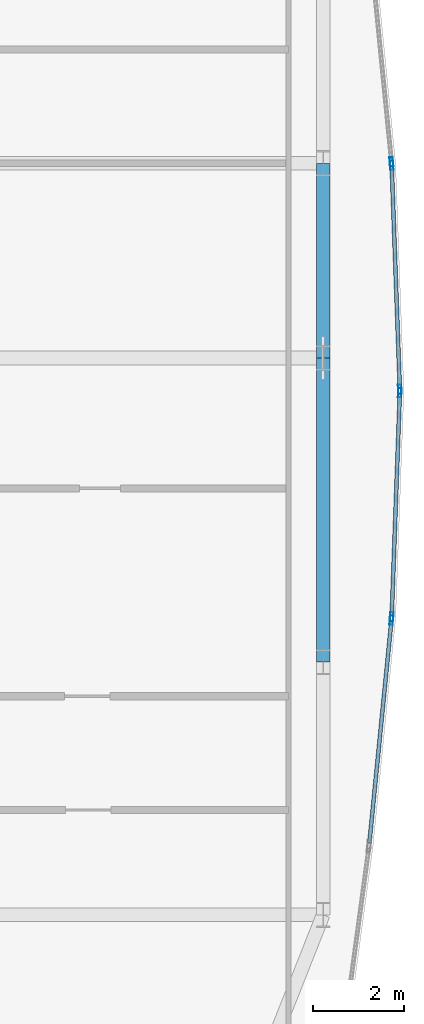
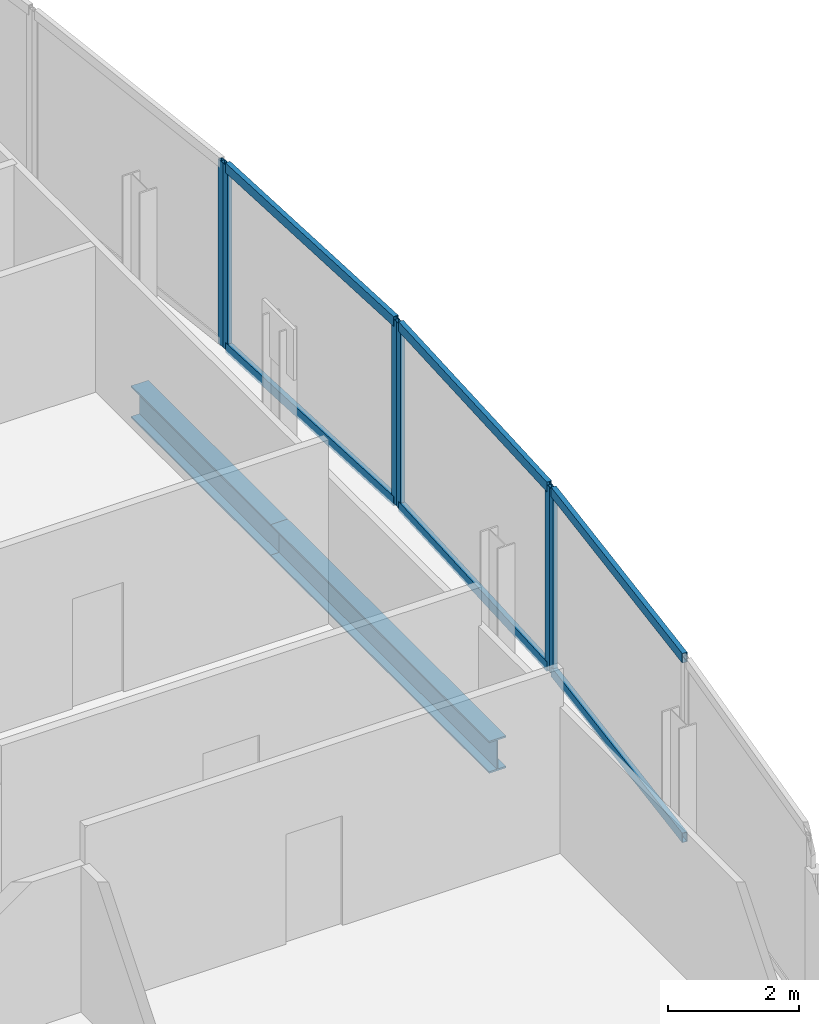
# One storey, part 22 of 32: 12 members, 2 beams, 4 elements without a shape of their own.
"""IFC4 building model written with IfcOpenShell, lengths in metres."""

from ifc_helpers import new_model, si_unit, direction, frame, origin, origin_2d, place, context, subcontext, project, spatial, hollow_rectangle, i_section, extrude, material, material_profile, profile_set, type_object, element, aggregate, save


model = new_model("IFC4")

# Units and contexts
model_context = context("Model", 3, precision=1e-05, world=origin(), true_north=direction((0.0, 1.0)))
body_context = subcontext(model_context, "Body", "Model", "MODEL_VIEW")
ifc_project = project(units=[si_unit("LENGTHUNIT", "METRE"), si_unit("AREAUNIT", "SQUARE_METRE"), si_unit("VOLUMEUNIT", "CUBIC_METRE"), si_unit("PLANEANGLEUNIT", "RADIAN"), si_unit("MASSUNIT", "GRAM", prefix="KILO")], contexts=[model_context])

# Site, building, storey
site_placement = place(None, origin())
site = spatial("IfcSite", under=ifc_project, at=site_placement, CompositionType="ELEMENT")
building_placement = place(site_placement, origin())
building = spatial("IfcBuilding", under=site, at=building_placement, Name="Khoronbel Lancet Exchange", CompositionType="ELEMENT")
storey_placement = place(building_placement, frame((0.0, 0.0, 125.39990234375)))
storey = spatial("IfcBuildingStorey", under=building, at=storey_placement, Name="L30", CompositionType="ELEMENT", Elevation=125.39990234375)

# Beams
ifc_material_1 = material(Name="Steel S355", Category="steel")
ifc_material_profile_1 = material_profile(ifc_material_1, i_section(OverallWidth=0.300048828125, OverallDepth=0.60009765625, WebThickness=0.015380859375, FlangeThickness=0.030029296875, at=origin_2d()), Name="HEB 600")
ifc_profile_set_1 = profile_set([ifc_material_profile_1], Name="Steel S355")
beam_type = type_object("IfcBeamType", Name="BM-BSP2", PredefinedType="SPANDREL", material=ifc_profile_set_1)
beam_1_placement = place(storey_placement, frame((69.6298828125, 24.75, -0.4599609375), z_axis=(0.0, 1.0, 0.0), x_axis=(-1.0, 0.0, 0.0)))
element("IfcBeam", 1, at=beam_1_placement, inside=storey, type_object=beam_type, Name="Level L30 perimeter spandrel beam SP12", PredefinedType="SPANDREL", context=body_context, shape_type="SweptSolid", body=[
    extrude(i_section(OverallWidth=0.300048828125, OverallDepth=0.60009765625, WebThickness=0.015380859375, FlangeThickness=0.030029296875, at=origin_2d()), origin(), (0.0, 0.0, 1.0), 6.675048828125),
])
beam_2_placement = place(storey_placement, frame((69.6298828125, 31.425048828125, -0.4599609375), z_axis=(0.0, 1.0, 0.0), x_axis=(-1.0, 0.0, 0.0)))
element("IfcBeam", 2, at=beam_2_placement, inside=storey, type_object=beam_type, Name="Level L30 perimeter spandrel beam SP13", PredefinedType="SPANDREL", context=body_context, shape_type="SweptSolid", body=[
    extrude(i_section(OverallWidth=0.300048828125, OverallDepth=0.60009765625, WebThickness=0.015380859375, FlangeThickness=0.030029296875, at=origin_2d()), origin(), (0.0, 0.0, 1.0), 4.27490234375),
])

# Curtain wall, member
ifc_material_2 = material(Name="Low-E Solar Control Insulating Glass", Category="glass")
curtain_wall_type = type_object("IfcCurtainWallType", Name="CW-4", PredefinedType="NOTDEFINED", material=ifc_material_2)
curtain_wall_1_placement = place(storey_placement, origin())
curtain_wall_1 = element("IfcCurtainWall", 3, at=curtain_wall_1_placement, inside=storey, type_object=curtain_wall_type, Name="Unitised curtain wall CW-L30-E18", PredefinedType="NOTDEFINED")
ifc_material_3 = material(Name="Bronze-Anodised Aluminium 6063-T6", Category="aluminium")
ifc_material_profile_2 = material_profile(ifc_material_3, hollow_rectangle(XDim=0.074951171875, YDim=0.199951171875, WallThickness=0.0048828125, at=origin_2d()), Name="ALU MULLION 75x200")
ifc_profile_set_2 = profile_set([ifc_material_profile_2], Name="Bronze-Anodised Aluminium 6063-T6")
member_type_1 = type_object("IfcMemberType", Name="MEM-CWM2", PredefinedType="MULLION", material=ifc_profile_set_2)
member_1_placement = place(storey_placement, frame((71.13037109375, 35.731201171875, 0.0), z_axis=(0.0, 0.0, 1.0), x_axis=(0.99511302808, 0.098742398922, 0.0)))
member_1 = element("IfcMember", 4, at=member_1_placement, type_object=member_type_1, Name="CW4 mullion 2", PredefinedType="MULLION", context=body_context, shape_type="SweptSolid", body=[
    extrude(hollow_rectangle(XDim=0.074951171875, YDim=0.199951171875, WallThickness=0.0048828125, at=origin_2d()), origin(), (0.0, 0.0, 1.0), 3.440185546875),
])
aggregate(curtain_wall_1, [member_1])

# Curtain wall, members
curtain_wall_2_placement = place(storey_placement, origin())
curtain_wall_2 = element("IfcCurtainWall", 5, at=curtain_wall_2_placement, inside=storey, type_object=curtain_wall_type, Name="Unitised curtain wall CW-L30-E19", PredefinedType="NOTDEFINED")
member_2_placement = place(storey_placement, frame((71.13525390625, 35.656494140625, 0.0), z_axis=(0.0, 0.0, 1.0), x_axis=(0.999341649928, 0.036280390298, 0.0)))
member_2 = element("IfcMember", 6, at=member_2_placement, type_object=member_type_1, Name="CW4 mullion 1", PredefinedType="MULLION", context=body_context, shape_type="SweptSolid", body=[
    extrude(hollow_rectangle(XDim=0.074951171875, YDim=0.199951171875, WallThickness=0.0048828125, at=origin_2d()), origin(), (0.0, 0.0, 1.0), 3.440185546875),
])
member_3_placement = place(storey_placement, frame((71.31396484375, 30.737548828125, 0.0), z_axis=(0.0, 0.0, 1.0), x_axis=(0.999341649928, 0.036280390298, 0.0)))
member_3 = element("IfcMember", 7, at=member_3_placement, type_object=member_type_1, Name="CW4 mullion 2", PredefinedType="MULLION", context=body_context, shape_type="SweptSolid", body=[
    extrude(hollow_rectangle(XDim=0.074951171875, YDim=0.199951171875, WallThickness=0.0048828125, at=origin_2d()), origin(), (0.0, 0.0, 1.0), 3.440185546875),
])

curtain_wall_3_placement = place(storey_placement, origin())
curtain_wall_3 = element("IfcCurtainWall", 8, at=curtain_wall_3_placement, inside=storey, type_object=curtain_wall_type, Name="Unitised curtain wall CW-L30-E20", PredefinedType="NOTDEFINED")
member_4_placement = place(storey_placement, frame((71.31396484375, 30.66259765625, 0.0), z_axis=(0.0, 0.0, 1.0), x_axis=(0.999341649928, -0.036280390298, 0.0)))
member_4 = element("IfcMember", 9, at=member_4_placement, type_object=member_type_1, Name="CW4 mullion 1", PredefinedType="MULLION", context=body_context, shape_type="SweptSolid", body=[
    extrude(hollow_rectangle(XDim=0.074951171875, YDim=0.199951171875, WallThickness=0.0048828125, at=origin_2d()), origin(), (0.0, 0.0, 1.0), 3.440185546875),
])
member_5_placement = place(storey_placement, frame((71.13525390625, 25.74365234375, 0.0), z_axis=(0.0, 0.0, 1.0), x_axis=(0.999341649928, -0.036280390298, 0.0)))
member_5 = element("IfcMember", 10, at=member_5_placement, type_object=member_type_1, Name="CW4 mullion 2", PredefinedType="MULLION", context=body_context, shape_type="SweptSolid", body=[
    extrude(hollow_rectangle(XDim=0.074951171875, YDim=0.199951171875, WallThickness=0.0048828125, at=origin_2d()), origin(), (0.0, 0.0, 1.0), 3.440185546875),
])

# Curtain wall, member
curtain_wall_4_placement = place(storey_placement, origin())
curtain_wall_4 = element("IfcCurtainWall", 11, at=curtain_wall_4_placement, inside=storey, type_object=curtain_wall_type, Name="Unitised curtain wall CW-L30-E21", PredefinedType="NOTDEFINED")
member_6_placement = place(storey_placement, frame((71.13037109375, 25.668701171875, 0.0), z_axis=(0.0, 0.0, 1.0), x_axis=(0.99511302808, -0.098742398922, 0.0)))
member_6 = element("IfcMember", 12, at=member_6_placement, type_object=member_type_1, Name="CW4 mullion 1", PredefinedType="MULLION", context=body_context, shape_type="SweptSolid", body=[
    extrude(hollow_rectangle(XDim=0.074951171875, YDim=0.199951171875, WallThickness=0.0048828125, at=origin_2d()), origin(), (0.0, 0.0, 1.0), 3.440185546875),
])

# Member
ifc_material_profile_3 = material_profile(ifc_material_3, hollow_rectangle(XDim=0.0849609375, YDim=0.179931640625, WallThickness=0.0048828125, at=origin_2d()), Name="ALU TRANSOM 85x180")
ifc_profile_set_3 = profile_set([ifc_material_profile_3], Name="Bronze-Anodised Aluminium 6063-T6")
member_type_2 = type_object("IfcMemberType", Name="MEM-CWT1", PredefinedType="USERDEFINED", material=ifc_profile_set_3)
member_7_placement = place(storey_placement, frame((71.13671875, 35.618896484375, 0.04248046875), z_axis=(0.036264623758, -0.999342222196, 0.0), x_axis=(0.999342222196, 0.036264623758, 0.0)))
member_7 = element("IfcMember", 13, at=member_7_placement, type_object=member_type_2, Name="CW4 transom 1.1", ObjectType="TRANSOM", PredefinedType="USERDEFINED", context=body_context, shape_type="SweptSolid", body=[
    extrude(hollow_rectangle(XDim=0.0849609375, YDim=0.179931640625, WallThickness=0.0048828125, at=origin_2d()), origin(), (0.0, 0.0, 1.0), 4.84716796875),
])

member_8_placement = place(storey_placement, frame((71.13671875, 35.618896484375, 3.397705078125), z_axis=(0.036264623758, -0.999342222196, 0.0), x_axis=(0.999342222196, 0.036264623758, 0.0)))
member_8 = element("IfcMember", 14, at=member_8_placement, type_object=member_type_2, Name="CW4 transom 1.2", ObjectType="TRANSOM", PredefinedType="USERDEFINED", context=body_context, shape_type="SweptSolid", body=[
    extrude(hollow_rectangle(XDim=0.0849609375, YDim=0.179931640625, WallThickness=0.0048828125, at=origin_2d()), origin(), (0.0, 0.0, 1.0), 4.84716796875),
])

aggregate(curtain_wall_2, [member_2, member_3, member_7, member_8])

member_9_placement = place(storey_placement, frame((71.3125, 30.625, 0.04248046875), z_axis=(-0.036264623758, -0.999342222196, 0.0), x_axis=(0.999342222196, -0.036264623758, 0.0)))
member_9 = element("IfcMember", 15, at=member_9_placement, type_object=member_type_2, Name="CW4 transom 1.1", ObjectType="TRANSOM", PredefinedType="USERDEFINED", context=body_context, shape_type="SweptSolid", body=[
    extrude(hollow_rectangle(XDim=0.0849609375, YDim=0.179931640625, WallThickness=0.0048828125, at=origin_2d()), origin(), (0.0, 0.0, 1.0), 4.84716796875),
])

member_10_placement = place(storey_placement, frame((71.3125, 30.625, 3.397705078125), z_axis=(-0.036264623758, -0.999342222196, 0.0), x_axis=(0.999342222196, -0.036264623758, 0.0)))
member_10 = element("IfcMember", 16, at=member_10_placement, type_object=member_type_2, Name="CW4 transom 1.2", ObjectType="TRANSOM", PredefinedType="USERDEFINED", context=body_context, shape_type="SweptSolid", body=[
    extrude(hollow_rectangle(XDim=0.0849609375, YDim=0.179931640625, WallThickness=0.0048828125, at=origin_2d()), origin(), (0.0, 0.0, 1.0), 4.84716796875),
])

aggregate(curtain_wall_3, [member_4, member_5, member_9, member_10])

member_11_placement = place(storey_placement, frame((71.126708984375, 25.63134765625, 0.04248046875), z_axis=(-0.098759163124, -0.995111364471, 0.0), x_axis=(0.995111364471, -0.098759163124, 0.0)))
member_11 = element("IfcMember", 17, at=member_11_placement, type_object=member_type_2, Name="CW4 transom 1.1", ObjectType="TRANSOM", PredefinedType="USERDEFINED", context=body_context, shape_type="SweptSolid", body=[
    extrude(hollow_rectangle(XDim=0.0849609375, YDim=0.179931640625, WallThickness=0.0048828125, at=origin_2d()), origin(), (0.0, 0.0, 1.0), 4.8701171875),
])

member_12_placement = place(storey_placement, frame((71.126708984375, 25.63134765625, 3.397705078125), z_axis=(-0.098759163124, -0.995111364471, 0.0), x_axis=(0.995111364471, -0.098759163124, 0.0)))
member_12 = element("IfcMember", 18, at=member_12_placement, type_object=member_type_2, Name="CW4 transom 1.2", ObjectType="TRANSOM", PredefinedType="USERDEFINED", context=body_context, shape_type="SweptSolid", body=[
    extrude(hollow_rectangle(XDim=0.0849609375, YDim=0.179931640625, WallThickness=0.0048828125, at=origin_2d()), origin(), (0.0, 0.0, 1.0), 4.8701171875),
])

aggregate(curtain_wall_4, [member_6, member_11, member_12])

save(model, "model.ifc")
